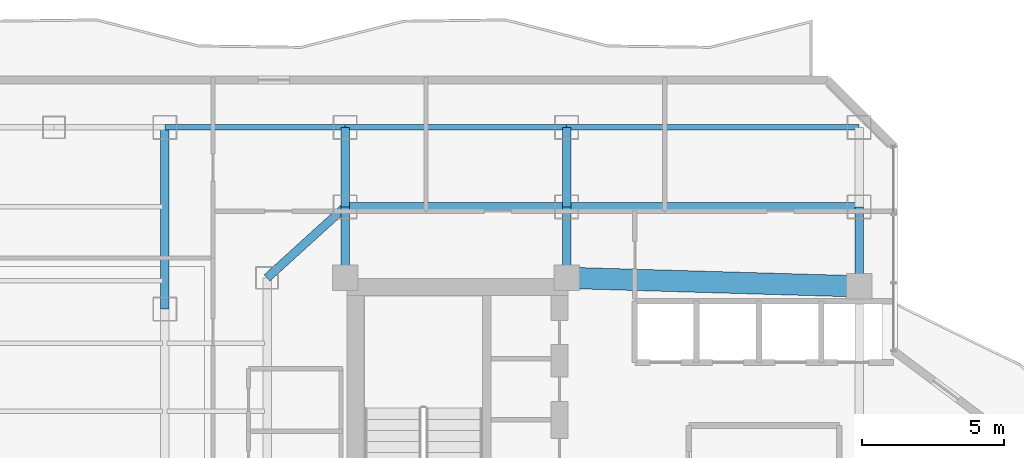
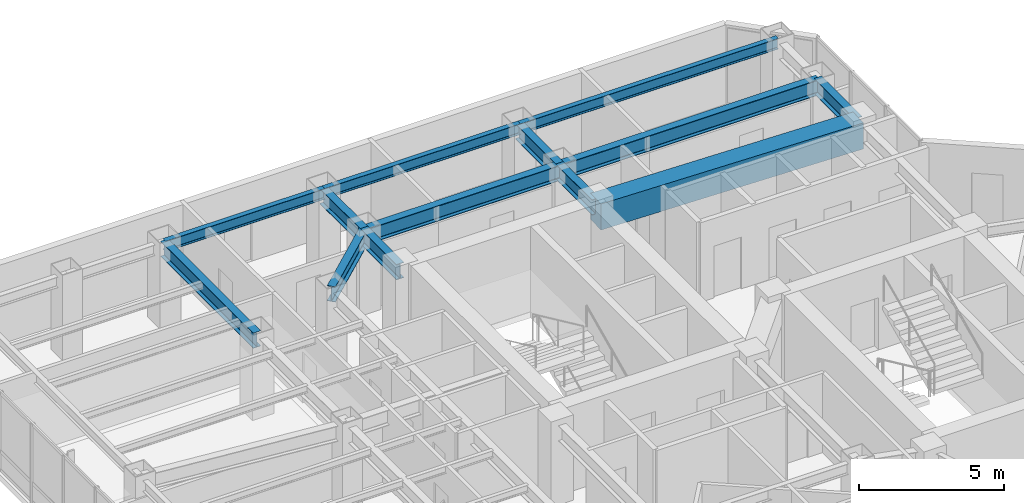
# One storey, part 18 of 28: 13 beams.
"""IFC4 building model written with IfcOpenShell, lengths in metres."""

from ifc_helpers import new_model, si_unit, direction, frame, origin, origin_2d, place, context, subcontext, project, spatial, rectangle, i_section, extrude, material, material_profile, profile_set, type_object, element, save


model = new_model("IFC4")

# Units and contexts
model_context = context("Model", 3, precision=1e-05, world=origin(), true_north=direction((0.0, 1.0)))
body_context = subcontext(model_context, "Body", "Model", "MODEL_VIEW")
ifc_project = project(units=[si_unit("LENGTHUNIT", "METRE"), si_unit("AREAUNIT", "SQUARE_METRE"), si_unit("VOLUMEUNIT", "CUBIC_METRE"), si_unit("PLANEANGLEUNIT", "RADIAN"), si_unit("MASSUNIT", "GRAM", prefix="KILO")], contexts=[model_context])

# Site, building, storey
site_placement = place(None, origin())
site = spatial("IfcSite", under=ifc_project, at=site_placement, CompositionType="ELEMENT")
building_placement = place(site_placement, origin())
building = spatial("IfcBuilding", under=site, at=building_placement, Name="Hatsunagi Terrace Concourse", CompositionType="ELEMENT")
storey_placement = place(building_placement, frame((0.0, 0.0, 160.050048828125)))
storey = spatial("IfcBuildingStorey", under=building, at=storey_placement, Name="L42", CompositionType="ELEMENT", Elevation=160.050048828125)

# Beams
ifc_material_1 = material(Name="Concrete Fc48", Category="concrete")
ifc_material_profile_1 = material_profile(ifc_material_1, rectangle(XDim=0.75, YDim=1.10009765625, at=origin_2d()), Name="RC-750x1100")
ifc_profile_set_1 = profile_set([ifc_material_profile_1], Name="Concrete Fc48")
beam_type_1 = type_object("IfcBeamType", Name="CoreCouplingBeam_RC_750x1100", PredefinedType="BEAM", material=ifc_profile_set_1)
beam_1_placement = place(storey_placement, frame((33.35009765625, 43.300048828125, 2.800048828125), z_axis=(0.999575947545, -0.029119153303, 0.0), x_axis=(0.029119153303, 0.999575947545, 0.0)))
element("IfcBeam", 1, at=beam_1_placement, inside=storey, type_object=beam_type_1, Name="Beam CB-02 CB-L42-2", PredefinedType="BEAM", context=body_context, shape_type="SweptSolid", body=[
    extrude(rectangle(XDim=0.75, YDim=1.10009765625, at=origin_2d()), origin(), (0.0, 0.0, 1.0), 10.30419921875),
])
ifc_material_2 = material(Name="Steel SN490B", Category="steel")
ifc_material_profile_2 = material_profile(ifc_material_2, i_section(OverallWidth=0.300048828125, OverallDepth=0.64990234375, WebThickness=0.012939453125, FlangeThickness=0.02197265625, FilletRadius=0.01806640625, at=origin_2d()), Name="H-650x300x13x22")
ifc_profile_set_2 = profile_set([ifc_material_profile_2], Name="Steel SN490B")
beam_type_2 = type_object("IfcBeamType", Name="OfficeLowGirder_H_650x300", PredefinedType="BEAM", material=ifc_profile_set_2)
for number, where, z_axis, x_axis, name in (
    (2, (25.550048828125, 43.300048828125, 3.02490234375), (0.0, 1.0, 0.0), (-1.0, 0.0, 0.0), "Beam G-05 BM-L42-CN1"),
    (3, (33.35009765625, 43.300048828125, 3.02490234375), (0.0, 1.0, 0.0), (-1.0, 0.0, 0.0), "Beam G-05 BM-L42-CN2"),
):
    element("IfcBeam", number, at=place(storey_placement, frame(where, z_axis=z_axis, x_axis=x_axis)), inside=storey, type_object=beam_type_2, Name=name, PredefinedType="BEAM", context=body_context, shape_type="SweptSolid", body=[
        extrude(i_section(OverallWidth=0.300048828125, OverallDepth=0.64990234375, WebThickness=0.012939453125, FlangeThickness=0.02197265625, FilletRadius=0.01806640625, at=origin_2d()), origin(), (0.0, 0.0, 1.0), 2.5),
    ])
beam_2_placement = place(storey_placement, frame((43.64990234375, 43.0, 3.02490234375), z_axis=(0.0, 1.0, 0.0), x_axis=(-1.0, 0.0, 0.0)))
element("IfcBeam", 4, at=beam_2_placement, inside=storey, type_object=beam_type_2, Name="Beam G-05 BM-L42-CN3", PredefinedType="BEAM", context=body_context, shape_type="SweptSolid", body=[
    extrude(i_section(OverallWidth=0.300048828125, OverallDepth=0.64990234375, WebThickness=0.012939453125, FlangeThickness=0.02197265625, FilletRadius=0.01806640625, at=origin_2d()), origin(), (0.0, 0.0, 1.0), 2.800048828125),
])
beam_3_placement = place(storey_placement, frame((25.550048828125, 45.800048828125, 3.02490234375), z_axis=(1.0, 0.0, 0.0), x_axis=(0.0, 1.0, 0.0)))
element("IfcBeam", 5, at=beam_3_placement, inside=storey, type_object=beam_type_2, Name="Beam G-05 BM-L42-CNEW1", PredefinedType="BEAM", context=body_context, shape_type="SweptSolid", body=[
    extrude(i_section(OverallWidth=0.300048828125, OverallDepth=0.64990234375, WebThickness=0.012939453125, FlangeThickness=0.02197265625, FilletRadius=0.01806640625, at=origin_2d()), origin(), (0.0, 0.0, 1.0), 7.800048828125),
])
beam_4_placement = place(storey_placement, frame((33.35009765625, 45.800048828125, 3.02490234375), z_axis=(1.0, 0.0, 0.0), x_axis=(0.0, 1.0, 0.0)))
element("IfcBeam", 6, at=beam_4_placement, inside=storey, type_object=beam_type_2, Name="Beam G-05 BM-L42-CNEW2", PredefinedType="BEAM", context=body_context, shape_type="SweptSolid", body=[
    extrude(i_section(OverallWidth=0.300048828125, OverallDepth=0.64990234375, WebThickness=0.012939453125, FlangeThickness=0.02197265625, FilletRadius=0.01806640625, at=origin_2d()), origin(), (0.0, 0.0, 1.0), 10.2998046875),
])
for number, where, z_axis, x_axis, name in (
    (7, (25.550048828125, 45.800048828125, 3.02490234375), (0.0, 1.0, 0.0), (-1.0, 0.0, 0.0), "Beam G-05 BM-L42-KN-WN4"),
    (8, (33.35009765625, 45.800048828125, 3.02490234375), (0.0, 1.0, 0.0), (-1.0, 0.0, 0.0), "Beam G-05 BM-L42-KN-WN5"),
):
    element("IfcBeam", number, at=place(storey_placement, frame(where, z_axis=z_axis, x_axis=x_axis)), inside=storey, type_object=beam_type_2, Name=name, PredefinedType="BEAM", context=body_context, shape_type="SweptSolid", body=[
        extrude(i_section(OverallWidth=0.300048828125, OverallDepth=0.64990234375, WebThickness=0.012939453125, FlangeThickness=0.02197265625, FilletRadius=0.01806640625, at=origin_2d()), origin(), (0.0, 0.0, 1.0), 2.800048828125),
    ])
beam_5_placement = place(storey_placement, frame((22.800048828125, 43.300048828125, 3.02490234375), z_axis=(0.739940073396, 0.672672793996, 0.0), x_axis=(-0.672672793996, 0.739940073396, 0.0)))
element("IfcBeam", 9, at=beam_5_placement, inside=storey, type_object=beam_type_2, Name="Beam G-05 BM-L42-CWEW-N", PredefinedType="BEAM", context=body_context, shape_type="SweptSolid", body=[
    extrude(i_section(OverallWidth=0.300048828125, OverallDepth=0.64990234375, WebThickness=0.012939453125, FlangeThickness=0.02197265625, FilletRadius=0.01806640625, at=origin_2d()), origin(), (0.0, 0.0, 1.0), 3.716552734375),
])
beam_6_placement = place(storey_placement, frame((19.199951171875, 42.199951171875, 3.02490234375), z_axis=(0.0, 1.0, 0.0), x_axis=(-1.0, 0.0, 0.0)))
element("IfcBeam", 10, at=beam_6_placement, inside=storey, type_object=beam_type_2, Name="Beam G-05 BM-L42-NS-19-42", PredefinedType="BEAM", context=body_context, shape_type="SweptSolid", body=[
    extrude(i_section(OverallWidth=0.300048828125, OverallDepth=0.64990234375, WebThickness=0.012939453125, FlangeThickness=0.02197265625, FilletRadius=0.01806640625, at=origin_2d()), origin(), (0.0, 0.0, 1.0), 6.400146484375),
])
ifc_material_3 = material(Name="Steel SN490B", Category="steel")
ifc_material_profile_3 = material_profile(ifc_material_3, i_section(OverallWidth=0.199951171875, OverallDepth=0.449951171875, WebThickness=0.009033203125, FlangeThickness=0.013916015625, FilletRadius=0.01611328125, at=origin_2d()), Name="H-450x200x9x14")
ifc_profile_set_3 = profile_set([ifc_material_profile_3], Name="Steel SN490B")
beam_type_3 = type_object("IfcBeamType", Name="PerimeterSpandrel_H_450x200", PredefinedType="SPANDREL", material=ifc_profile_set_3)
beam_7_placement = place(storey_placement, frame((19.199951171875, 48.60009765625, 3.125), z_axis=(1.0, 0.0, 0.0), x_axis=(0.0, 1.0, 0.0)))
element("IfcBeam", 11, at=beam_7_placement, inside=storey, type_object=beam_type_3, Name="Beam SP-02 BM-L42-WN-19", PredefinedType="SPANDREL", context=body_context, shape_type="SweptSolid", body=[
    extrude(i_section(OverallWidth=0.199951171875, OverallDepth=0.449951171875, WebThickness=0.009033203125, FlangeThickness=0.013916015625, FilletRadius=0.01611328125, at=origin_2d()), origin(), (0.0, 0.0, 1.0), 6.35009765625),
])
beam_8_placement = place(storey_placement, frame((25.550048828125, 48.60009765625, 3.125), z_axis=(1.0, 0.0, 0.0), x_axis=(0.0, 1.0, 0.0)))
element("IfcBeam", 12, at=beam_8_placement, inside=storey, type_object=beam_type_3, Name="Beam SP-02 BM-L42-WN-25", PredefinedType="SPANDREL", context=body_context, shape_type="SweptSolid", body=[
    extrude(i_section(OverallWidth=0.199951171875, OverallDepth=0.449951171875, WebThickness=0.009033203125, FlangeThickness=0.013916015625, FilletRadius=0.01611328125, at=origin_2d()), origin(), (0.0, 0.0, 1.0), 7.800048828125),
])
beam_9_placement = place(storey_placement, frame((33.35009765625, 48.60009765625, 3.125), z_axis=(1.0, 0.0, 0.0), x_axis=(0.0, 1.0, 0.0)))
element("IfcBeam", 13, at=beam_9_placement, inside=storey, type_object=beam_type_3, Name="Beam SP-02 BM-L42-WN-33", PredefinedType="SPANDREL", context=body_context, shape_type="SweptSolid", body=[
    extrude(i_section(OverallWidth=0.199951171875, OverallDepth=0.449951171875, WebThickness=0.009033203125, FlangeThickness=0.013916015625, FilletRadius=0.01611328125, at=origin_2d()), origin(), (0.0, 0.0, 1.0), 10.2998046875),
])

save(model, "model.ifc")
